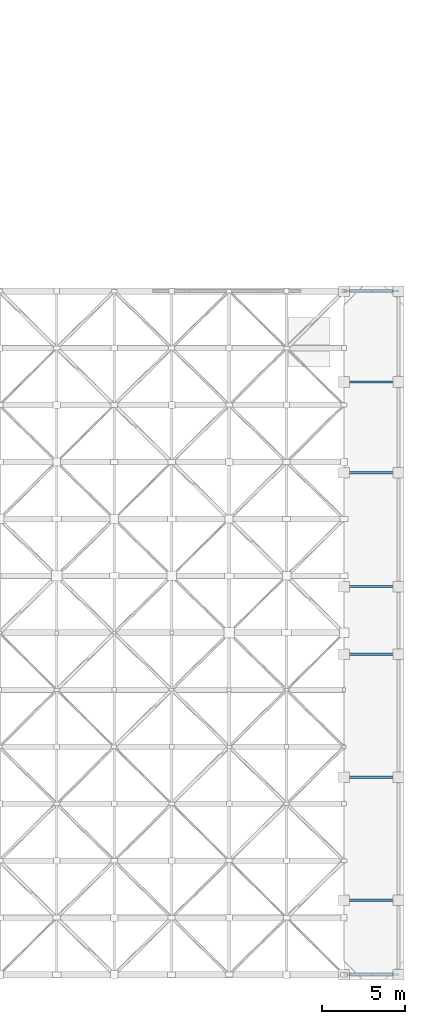
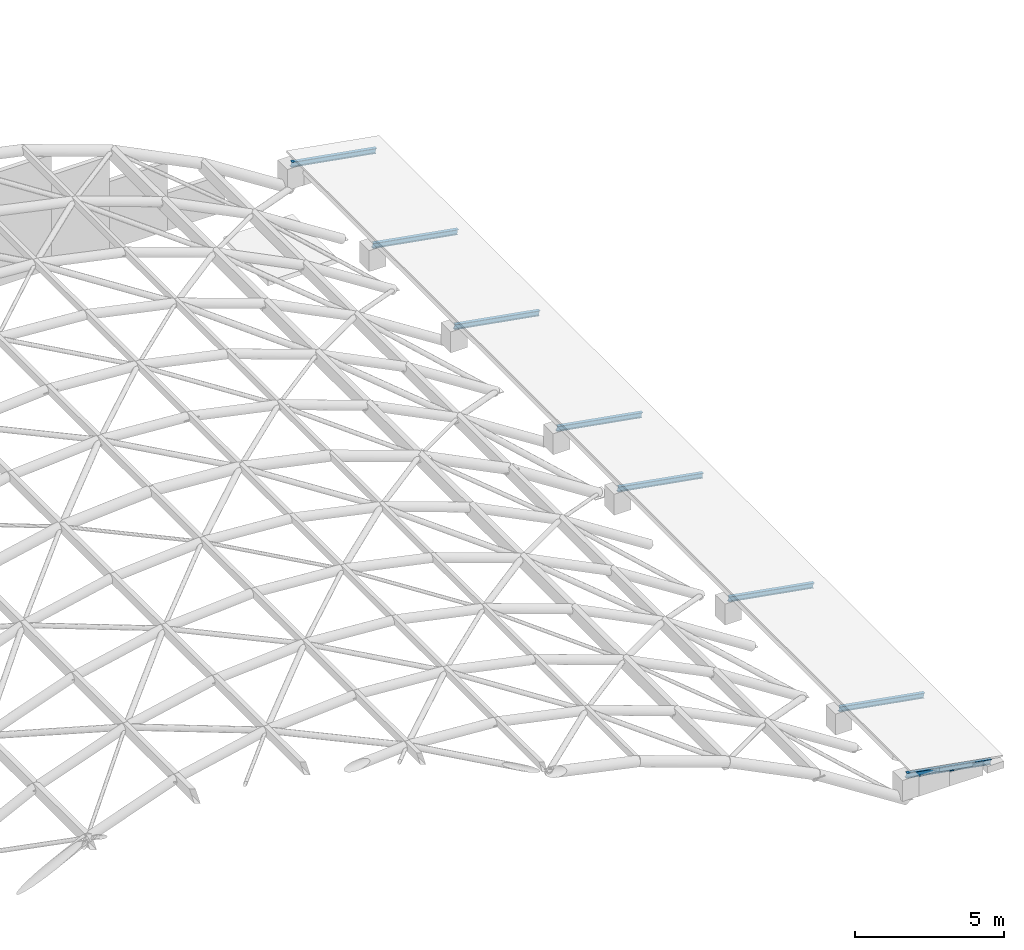
# One storey, part 32 of 52: 8 members.
"""IFC4 building model written with IfcOpenShell, lengths in metres."""

from ifc_helpers import new_model, si_unit, direction, frame, origin, origin_2d, place, context, subcontext, project, spatial, i_section, extrude, material, material_profile, profile_set, type_object, element, save


model = new_model("IFC4")

# Units and contexts
model_context = context("Model", 3, precision=1e-05, world=origin(), true_north=direction((0.0, 1.0)))
body_context = subcontext(model_context, "Body", "Model", "MODEL_VIEW")
ifc_project = project(units=[si_unit("LENGTHUNIT", "METRE"), si_unit("AREAUNIT", "SQUARE_METRE"), si_unit("VOLUMEUNIT", "CUBIC_METRE"), si_unit("PLANEANGLEUNIT", "RADIAN"), si_unit("MASSUNIT", "GRAM", prefix="KILO")], contexts=[model_context])

# Site, building, storey
site_placement = place(None, origin())
site = spatial("IfcSite", under=ifc_project, at=site_placement, CompositionType="ELEMENT")
building_placement = place(site_placement, origin())
building = spatial("IfcBuilding", under=site, at=building_placement, Name="Candilejo Ridge Gondola Terminal", CompositionType="ELEMENT")
storey_placement = place(building_placement, frame((0.0, 0.0, 18.60009765625)))
storey = spatial("IfcBuildingStorey", under=building, at=storey_placement, Name="L04", CompositionType="ELEMENT", Elevation=18.60009765625)

# Members
ifc_material = material(Name="Steel ASTM A992 Grade 50", Category="steel")
ifc_material_profile = material_profile(ifc_material, i_section(OverallWidth=0.133056640625, OverallDepth=0.20703125, WebThickness=0.005859375, FlangeThickness=0.00830078125, at=origin_2d()))
ifc_profile_set = profile_set([ifc_material_profile], Name="Steel ASTM A992 Grade 50")
member_type = type_object("IfcMemberType", Name="STR-RAF-W200", PredefinedType="RAFTER", material=ifc_profile_set)
for number, where, z_axis, x_axis, name in (
    (1, (172.0, 6.300048828125, 0.783447265625), (0.984800423621, 0.0, -0.173689739581), (0.0, 1.0, 0.0), "Shed roof rafter RF-V4-EAST-01"),
    (2, (172.0, 10.800048828125, 0.783447265625), (0.984800423621, 0.0, -0.173689739581), (0.0, 1.0, 0.0), "Shed roof rafter RF-V4-EAST-02"),
    (3, (172.0, 18.25, 0.783447265625), (0.984800423621, 0.0, -0.173689739581), (0.0, 1.0, 0.0), "Shed roof rafter RF-V4-EAST-03"),
    (4, (172.0, 25.699951171875, 0.783447265625), (0.984800423621, 0.0, -0.173689739581), (0.0, 1.0, 0.0), "Shed roof rafter RF-V4-EAST-04"),
    (5, (172.0, 29.800048828125, 0.783447265625), (0.984800423621, 0.0, -0.173689739581), (0.0, 1.0, 0.0), "Shed roof rafter RF-V4-EAST-05"),
    (6, (172.0, 36.699951171875, 0.783447265625), (0.984800423621, 0.0, -0.173689739581), (0.0, 1.0, 0.0), "Shed roof rafter RF-V4-EAST-06"),
    (7, (172.0, 42.199951171875, 0.783447265625), (0.984800423621, 0.0, -0.173689739581), (0.0, 1.0, 0.0), "Shed roof rafter RF-V4-EAST-07"),
    (8, (172.0, 47.699951171875, 0.783447265625), (0.984800423621, 0.0, -0.173689739581), (0.0, 1.0, 0.0), "Shed roof rafter RF-V4-EAST-08"),
):
    element("IfcMember", number, at=place(storey_placement, frame(where, z_axis=z_axis, x_axis=x_axis)), inside=storey, type_object=member_type, Name=name, PredefinedType="RAFTER", context=body_context, shape_type="SweptSolid", body=[
        extrude(i_section(OverallWidth=0.133056640625, OverallDepth=0.20703125, WebThickness=0.005859375, FlangeThickness=0.00830078125, at=origin_2d()), origin(), (0.0, 0.0, 1.0), 3.35107421875),
    ])

save(model, "model.ifc")
